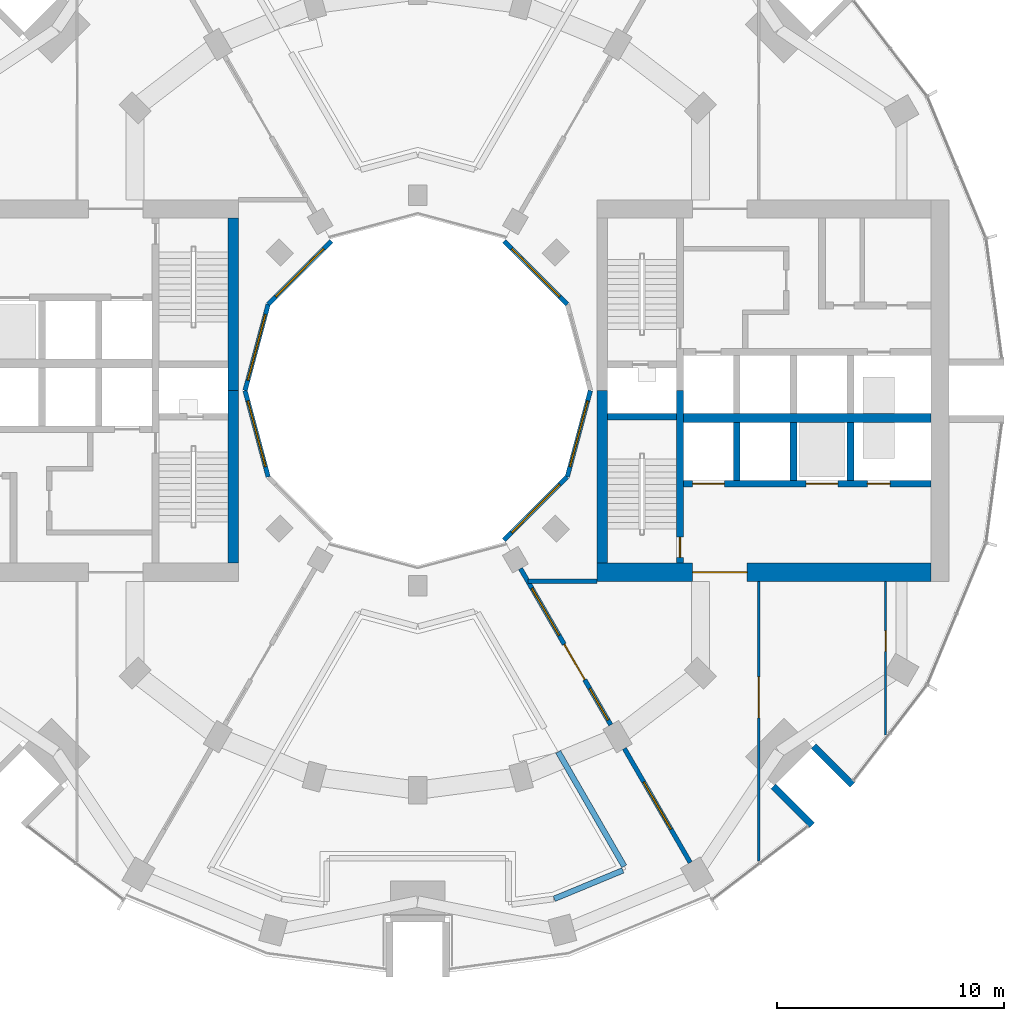
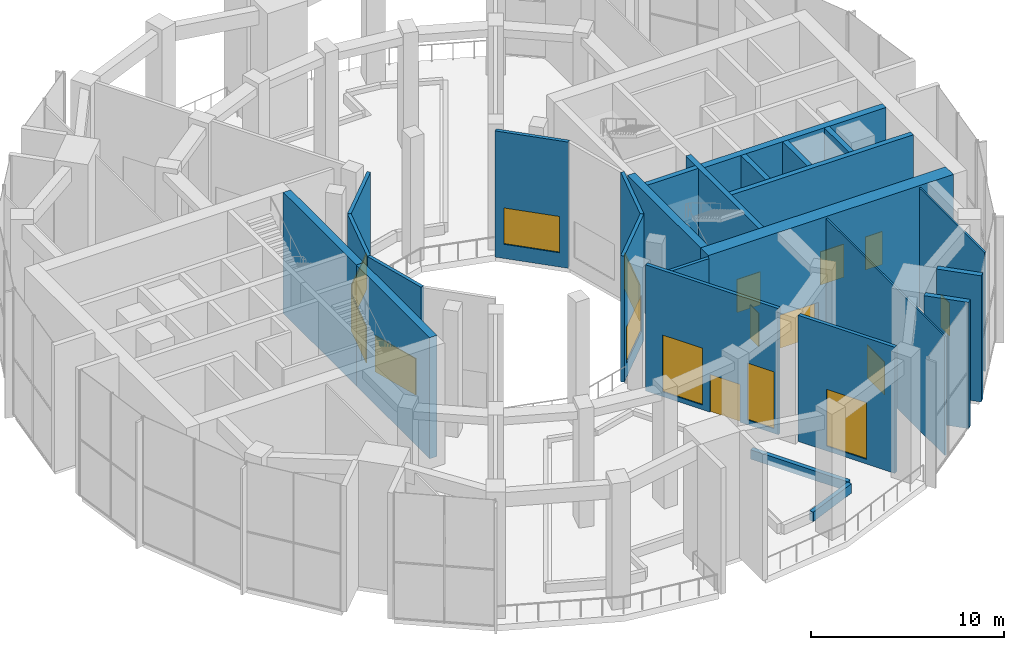
# One storey, part 12 of 18: 26 walls, 9 windows, 8 doors, 17 openings.
"""IFC4 building model written with IfcOpenShell, lengths in metres."""

from ifc_helpers import new_model, si_unit, direction, frame, frame_2d, origin, place, context, subcontext, project, spatial, rectangle, extrude, material, layer, layer_set, type_object, element, fill, save


model = new_model("IFC4")

# Units and contexts
model_context = context("Model", 3, precision=1e-05, world=origin(), true_north=direction((0.0, 1.0)))
body_context = subcontext(model_context, "Body", "Model", "MODEL_VIEW")
ifc_project = project(units=[si_unit("LENGTHUNIT", "METRE"), si_unit("AREAUNIT", "SQUARE_METRE"), si_unit("VOLUMEUNIT", "CUBIC_METRE"), si_unit("PLANEANGLEUNIT", "RADIAN"), si_unit("MASSUNIT", "GRAM", prefix="KILO")], contexts=[model_context])

# Site, building, storey
site_placement = place(None, origin())
site = spatial("IfcSite", under=ifc_project, at=site_placement, CompositionType="ELEMENT")
building_placement = place(site_placement, origin())
building = spatial("IfcBuilding", under=site, at=building_placement, Name="Torre Brocal", CompositionType="ELEMENT")
storey_placement = place(building_placement, frame((0.0, 0.0, 74.39990234375)))
storey = spatial("IfcBuildingStorey", under=building, at=storey_placement, Name="L17", CompositionType="ELEMENT", Elevation=74.39990234375)

# Wall, opening, door
ifc_material_1 = material(Name="Concrete C80", Category="concrete")
ifc_layer_1 = layer(ifc_material_1, 0.300048828125)
ifc_layer_set_1 = layer_set([ifc_layer_1], Name="Concrete C80")
wall_type_1 = type_object("IfcWallType", Name="CORE WALL 300 C80", PredefinedType="SHEAR", material=ifc_layer_set_1)
wall_1_placement = place(storey_placement, frame((91.550048828125, 67.39990234375, 0.0), z_axis=(0.0, 0.0, 1.0), x_axis=(0.0, 1.0, 0.0)))
wall_1 = element("IfcWall", 1, at=wall_1_placement, inside=storey, type_object=wall_type_1, Name="Wall CW300-80", PredefinedType="SHEAR", context=body_context, shape_type="SweptSolid", body=[
    extrude(rectangle(XDim=7.60009765625, YDim=0.300048828125, at=frame_2d((3.800048828125, 0.0))), origin(), (0.0, 0.0, 1.0), 7.68017578125),
])
opening_1_placement = place(wall_1_placement, frame((0.25, 0.0, 0.0)))
opening_1 = element("IfcOpeningElement", 2, at=opening_1_placement, cuts=wall_1, Name="Opening E-D03", PredefinedType="OPENING", context=body_context, shape_type="SweptSolid", body=[
    extrude(rectangle(XDim=0.89990234375, YDim=2.10009765625, at=frame_2d((0.449951171875, 1.050048828125))), frame((0.0, 0.159912109375, 0.0), z_axis=(0.0, -1.0, 0.0), x_axis=(1.0, 0.0, 0.0)), (0.0, 0.0, 1.0), 0.320068359375),
])
ifc_material_2 = material(Name="Steel A653", Category="steel")
door_type_1 = type_object("IfcDoorType", Name="STAIR DOOR FD120 900X2100", OperationType="SINGLE_SWING_RIGHT", PredefinedType="DOOR", material=ifc_material_2)
door_1_placement = place(opening_1_placement, origin())
door_1 = element("IfcDoor", 3, at=door_1_placement, inside=storey, type_object=door_type_1, Name="Door E-D03", OperationType="SINGLE_SWING_LEFT", OverallHeight=2.10009765625, OverallWidth=0.89990234375, PredefinedType="DOOR", context=body_context, shape_type="SweptSolid", body=[
    extrude(rectangle(XDim=0.89990234375, YDim=2.10009765625, at=frame_2d((0.449951171875, 1.050048828125))), frame((0.0, 0.02490234375, 0.0), z_axis=(0.0, -1.0, 0.0), x_axis=(1.0, 0.0, 0.0)), (0.0, 0.0, 1.0), 0.050048828125),
])
fill(opening_1, door_1)

# Wall
wall_2_placement = place(storey_placement, frame((88.35009765625, 73.85009765625, 0.0), z_axis=(0.0, 0.0, 1.0), x_axis=(1.0, 0.0, 0.0)))
element("IfcWall", 4, at=wall_2_placement, inside=storey, type_object=wall_type_1, Name="Wall CW300-80", PredefinedType="SHEAR", context=body_context, shape_type="SweptSolid", body=[
    extrude(rectangle(XDim=3.0498046875, YDim=0.300048828125, at=frame_2d((1.52490234375, 0.0))), origin(), (0.0, 0.0, 1.0), 7.68017578125),
])

# Wall, openings, doors
wall_3_placement = place(storey_placement, frame((91.699951171875, 70.89990234375, 0.0), z_axis=(0.0, 0.0, 1.0), x_axis=(1.0, 0.0, 0.0)))
wall_3 = element("IfcWall", 5, at=wall_3_placement, inside=storey, type_object=wall_type_1, Name="Wall CW300-80", PredefinedType="SHEAR", context=body_context, shape_type="SweptSolid", body=[
    extrude(rectangle(XDim=10.900146484375, YDim=0.300048828125, at=frame_2d((5.4501953125, 0.0))), origin(), (0.0, 0.0, 1.0), 7.68017578125),
])
opening_2_placement = place(wall_3_placement, frame((0.39990234375, 0.0, 0.0)))
opening_2 = element("IfcOpeningElement", 6, at=opening_2_placement, cuts=wall_3, Name="Opening LD14", PredefinedType="OPENING", context=body_context, shape_type="SweptSolid", body=[
    extrude(rectangle(XDim=1.39990234375, YDim=2.10009765625, at=frame_2d((0.699951171875, 1.050048828125))), frame((0.0, 0.159912109375, 0.0), z_axis=(0.0, -1.0, 0.0), x_axis=(1.0, 0.0, 0.0)), (0.0, 0.0, 1.0), 0.320068359375),
])
opening_3_placement = place(wall_3_placement, frame((5.39990234375, 0.0, 0.0)))
opening_3 = element("IfcOpeningElement", 7, at=opening_3_placement, cuts=wall_3, Name="Opening LD14", PredefinedType="OPENING", context=body_context, shape_type="SweptSolid", body=[
    extrude(rectangle(XDim=1.39990234375, YDim=2.10009765625, at=frame_2d((0.699951171875, 1.050048828125))), frame((0.0, 0.159912109375, 0.0), z_axis=(0.0, -1.0, 0.0), x_axis=(1.0, 0.0, 0.0)), (0.0, 0.0, 1.0), 0.320068359375),
])
opening_4_placement = place(wall_3_placement, frame((8.10009765625, 0.0, 0.0)))
opening_4 = element("IfcOpeningElement", 8, at=opening_4_placement, cuts=wall_3, Name="Opening LD10", PredefinedType="OPENING", context=body_context, shape_type="SweptSolid", body=[
    extrude(rectangle(XDim=1.0, YDim=2.10009765625, at=frame_2d((0.5, 1.050048828125))), frame((0.0, 0.159912109375, 0.0), z_axis=(0.0, -1.0, 0.0), x_axis=(1.0, 0.0, 0.0)), (0.0, 0.0, 1.0), 0.320068359375),
])
ifc_material_3 = material(Name="Stainless steel AISI 316", Category="steel")
door_type_2 = type_object("IfcDoorType", Name="LIFT LANDING DOOR 1000X2100", OperationType="DOUBLE_DOOR_SLIDING", PredefinedType="DOOR", material=ifc_material_3)
door_2_placement = place(opening_4_placement, origin())
door_2 = element("IfcDoor", 9, at=door_2_placement, inside=storey, type_object=door_type_2, Name="Door LD10", OperationType="DOUBLE_DOOR_SLIDING", OverallHeight=2.10009765625, OverallWidth=1.0, PredefinedType="DOOR", context=body_context, shape_type="SweptSolid", body=[
    extrude(rectangle(XDim=1.0, YDim=2.10009765625, at=frame_2d((0.5, 1.050048828125))), frame((0.0, 0.02490234375, 0.0), z_axis=(0.0, -1.0, 0.0), x_axis=(1.0, 0.0, 0.0)), (0.0, 0.0, 1.0), 0.050048828125),
])
fill(opening_4, door_2)
ifc_material_4 = material(Name="Stainless steel AISI 316", Category="steel")
door_type_3 = type_object("IfcDoorType", Name="LIFT LANDING DOOR 1400X2100", OperationType="DOUBLE_DOOR_SLIDING", PredefinedType="DOOR", material=ifc_material_4)
door_3_placement = place(opening_2_placement, origin())
door_3 = element("IfcDoor", 10, at=door_3_placement, inside=storey, type_object=door_type_3, Name="Door LD14", OperationType="DOUBLE_DOOR_SLIDING", OverallHeight=2.10009765625, OverallWidth=1.39990234375, PredefinedType="DOOR", context=body_context, shape_type="SweptSolid", body=[
    extrude(rectangle(XDim=1.39990234375, YDim=2.10009765625, at=frame_2d((0.699951171875, 1.050048828125))), frame((0.0, 0.02490234375, 0.0), z_axis=(0.0, -1.0, 0.0), x_axis=(1.0, 0.0, 0.0)), (0.0, 0.0, 1.0), 0.050048828125),
])
fill(opening_2, door_3)
door_4_placement = place(opening_3_placement, origin())
door_4 = element("IfcDoor", 11, at=door_4_placement, inside=storey, type_object=door_type_3, Name="Door LD14", OperationType="DOUBLE_DOOR_SLIDING", OverallHeight=2.10009765625, OverallWidth=1.39990234375, PredefinedType="DOOR", context=body_context, shape_type="SweptSolid", body=[
    extrude(rectangle(XDim=1.39990234375, YDim=2.10009765625, at=frame_2d((0.699951171875, 1.050048828125))), frame((0.0, 0.02490234375, 0.0), z_axis=(0.0, -1.0, 0.0), x_axis=(1.0, 0.0, 0.0)), (0.0, 0.0, 1.0), 0.050048828125),
])
fill(opening_3, door_4)

# Walls
for number, where, z_axis, x_axis, name in (
    (12, (94.050048828125, 71.050048828125, 0.0), (0.0, 0.0, 1.0), (0.0, 1.0, 0.0), "Wall CW300-80"),
    (13, (96.550048828125, 71.050048828125, 0.0), (0.0, 0.0, 1.0), (0.0, 1.0, 0.0), "Wall CW300-80"),
    (14, (99.050048828125, 71.050048828125, 0.0), (0.0, 0.0, 1.0), (0.0, 1.0, 0.0), "Wall CW300-80"),
):
    element("IfcWall", number, at=place(storey_placement, frame(where, z_axis=z_axis, x_axis=x_axis)), inside=storey, type_object=wall_type_1, Name=name, PredefinedType="SHEAR", context=body_context, shape_type="SweptSolid", body=[
        extrude(rectangle(XDim=2.550048828125, YDim=0.300048828125, at=frame_2d((1.27490234375, 0.0))), origin(), (0.0, 0.0, 1.0), 7.68017578125),
    ])
ifc_material_5 = material(Name="Concrete C80", Category="concrete")
ifc_layer_2 = layer(ifc_material_5, 0.39990234375)
ifc_layer_set_2 = layer_set([ifc_layer_2], Name="Concrete C80")
wall_type_2 = type_object("IfcWallType", Name="CORE WALL 400 C80", PredefinedType="SHEAR", material=ifc_layer_set_2)
wall_4_placement = place(storey_placement, frame((91.699951171875, 73.800048828125, 0.0), z_axis=(0.0, 0.0, 1.0), x_axis=(1.0, 0.0, 0.0)))
element("IfcWall", 15, at=wall_4_placement, inside=storey, type_object=wall_type_2, Name="Wall CW400-80", PredefinedType="SHEAR", context=body_context, shape_type="SweptSolid", body=[
    extrude(rectangle(XDim=10.900146484375, YDim=0.39990234375, at=frame_2d((5.4501953125, 0.0))), origin(), (0.0, 0.0, 1.0), 7.68017578125),
])
ifc_material_6 = material(Name="Concrete C80", Category="concrete")
ifc_layer_3 = layer(ifc_material_6, 0.449951171875)
ifc_layer_set_3 = layer_set([ifc_layer_3], Name="Concrete C80")
wall_type_3 = type_object("IfcWallType", Name="CORE WALL 450 C80", PredefinedType="SHEAR", material=ifc_layer_set_3)
for number, where, z_axis, x_axis, name in (
    (16, (88.125, 67.39990234375, 0.0), (0.0, 0.0, 1.0), (0.0, 1.0, 0.0), "Wall CW450-80"),
    (17, (71.875, 75.0, 0.0), (0.0, 0.0, 1.0), (0.0, -1.0, 0.0), "Wall CW450-80"),
    (18, (71.875, 82.60009765625, 0.0), (0.0, 0.0, 1.0), (0.0, -1.0, 0.0), "Wall CW450-80"),
):
    element("IfcWall", number, at=place(storey_placement, frame(where, z_axis=z_axis, x_axis=x_axis)), inside=storey, type_object=wall_type_3, Name=name, PredefinedType="SHEAR", context=body_context, shape_type="SweptSolid", body=[
        extrude(rectangle(XDim=7.60009765625, YDim=0.449951171875, at=frame_2d((3.800048828125, 0.0))), origin(), (0.0, 0.0, 1.0), 7.68017578125),
    ])

# Wall, opening, door
ifc_material_7 = material(Name="Concrete C80", Category="concrete")
ifc_layer_4 = layer(ifc_material_7, 0.800048828125)
ifc_layer_set_4 = layer_set([ifc_layer_4], Name="Concrete C80")
wall_type_4 = type_object("IfcWallType", Name="CORE WALL 800 C80", PredefinedType="SHEAR", material=ifc_layer_set_4)
wall_5_placement = place(storey_placement, frame((87.89990234375, 67.0, 0.0), z_axis=(0.0, 0.0, 1.0), x_axis=(1.0, 0.0, 0.0)))
wall_5 = element("IfcWall", 19, at=wall_5_placement, inside=storey, type_object=wall_type_4, Name="Wall CW800-80", PredefinedType="SHEAR", context=body_context, shape_type="SweptSolid", body=[
    extrude(rectangle(XDim=14.7001953125, YDim=0.800048828125, at=frame_2d((7.35009765625, 0.0))), origin(), (0.0, 0.0, 1.0), 7.68017578125),
])
opening_5_placement = place(wall_5_placement, frame((4.199951171875, 0.0, 0.0)))
opening_5 = element("IfcOpeningElement", 20, at=opening_5_placement, cuts=wall_5, Name="Opening E-D27", PredefinedType="OPENING", context=body_context, shape_type="SweptSolid", body=[
    extrude(rectangle(XDim=2.39990234375, YDim=2.39990234375, at=frame_2d((1.199951171875, 1.199951171875))), frame((0.0, 0.409912109375, 0.0), z_axis=(0.0, -1.0, 0.0), x_axis=(1.0, 0.0, 0.0)), (0.0, 0.0, 1.0), 0.820068359375),
])
ifc_material_8 = material(Name="Steel A653", Category="steel")
door_type_4 = type_object("IfcDoorType", Name="DOUBLE FIRE DOOR FD90 2400X2400", OperationType="DOUBLE_DOOR_SINGLE_SWING", PredefinedType="DOOR", material=ifc_material_8)
door_5_placement = place(opening_5_placement, frame((2.39990234375, 0.0, 0.0), z_axis=(0.0, 0.0, 1.0), x_axis=(-1.0, 0.0, 0.0)))
door_5 = element("IfcDoor", 21, at=door_5_placement, inside=storey, type_object=door_type_4, Name="Door E-D27", OperationType="DOUBLE_DOOR_SINGLE_SWING", OverallHeight=2.39990234375, OverallWidth=2.39990234375, PredefinedType="DOOR", context=body_context, shape_type="SweptSolid", body=[
    extrude(rectangle(XDim=2.39990234375, YDim=2.39990234375, at=frame_2d((1.199951171875, 1.199951171875))), frame((0.0, 0.02490234375, 0.0), z_axis=(0.0, -1.0, 0.0), x_axis=(1.0, 0.0, 0.0)), (0.0, 0.0, 1.0), 0.050048828125),
])
fill(opening_5, door_5)

# Walls
ifc_material_9 = material(Name="Concrete C80", Category="concrete")
ifc_layer_5 = layer(ifc_material_9, 0.300048828125)
ifc_layer_set_5 = layer_set([ifc_layer_5], Name="Concrete C80")
wall_type_5 = type_object("IfcWallType", Name="NOTCH RETURN WALL 300 C80", PredefinedType="NOTDEFINED", material=ifc_layer_set_5)
for number, where, z_axis, x_axis, name in (
    (22, (95.662353515625, 57.56982421875, 0.0), (0.0, 0.0, 1.0), (0.707106781187, -0.707106781187, 0.0), "NOTCH RETURN WALL"),
    (23, (97.43017578125, 59.337646484375, 0.0), (0.0, 0.0, 1.0), (0.707106781187, -0.707106781187, 0.0), "NOTCH RETURN WALL"),
):
    element("IfcWall", number, at=place(storey_placement, frame(where, z_axis=z_axis, x_axis=x_axis)), inside=storey, type_object=wall_type_5, Name=name, PredefinedType="NOTDEFINED", context=body_context, shape_type="SweptSolid", body=[
        extrude(rectangle(XDim=2.415771484375, YDim=0.300048828125, at=frame_2d((1.2080078125, 0.0))), origin(), (0.0, 0.0, 1.0), 8.0),
    ])

# Wall, opening, door
ifc_material_10 = material(Name="Gypsum board", Category="Gypsum")
ifc_layer_6 = layer(ifc_material_10, 0.10009765625)
ifc_layer_set_6 = layer_set([ifc_layer_6], Name="Gypsum board")
wall_type_6 = type_object("IfcWallType", Name="PARTITION 100", PredefinedType="PARTITIONING", material=ifc_layer_set_6)
wall_6_placement = place(storey_placement, frame((95.011962890625, 54.2880859375, 0.0), z_axis=(0.0, 0.0, 1.0), x_axis=(0.0, 1.0, 0.0)))
wall_6 = element("IfcWall", 24, at=wall_6_placement, inside=storey, type_object=wall_type_6, Name="ROOM PARTITION", PredefinedType="PARTITIONING", context=body_context, shape_type="SweptSolid", body=[
    extrude(rectangle(XDim=12.31201171875, YDim=0.10009765625, at=frame_2d((6.156005859375, 0.0))), origin(), (0.0, 0.0, 1.0), 7.550048828125),
])
opening_6_placement = place(wall_6_placement, frame((6.299560546875, 0.0, 0.0)))
opening_6 = element("IfcOpeningElement", 25, at=opening_6_placement, cuts=wall_6, Name="Opening SG1-D02", PredefinedType="OPENING", context=body_context, shape_type="SweptSolid", body=[
    extrude(rectangle(XDim=1.800048828125, YDim=2.10009765625, at=frame_2d((0.89990234375, 1.050048828125))), frame((0.0, 0.06005859375, 0.0), z_axis=(0.0, -1.0, 0.0), x_axis=(1.0, 0.0, 0.0)), (0.0, 0.0, 1.0), 0.1201171875),
])
ifc_material_11 = material(Name="Timber", Category="wood")
door_type_5 = type_object("IfcDoorType", Name="DOUBLE DOOR 1800X2100", OperationType="DOUBLE_DOOR_SINGLE_SWING", PredefinedType="DOOR", material=ifc_material_11)
door_6_placement = place(opening_6_placement, frame((1.800048828125, 0.0, 0.0), z_axis=(0.0, 0.0, 1.0), x_axis=(-1.0, 0.0, 0.0)))
door_6 = element("IfcDoor", 26, at=door_6_placement, inside=storey, type_object=door_type_5, Name="SG1-D02", OperationType="DOUBLE_DOOR_SINGLE_SWING", OverallHeight=2.10009765625, OverallWidth=1.800048828125, PredefinedType="DOOR", context=body_context, shape_type="SweptSolid", body=[
    extrude(rectangle(XDim=1.800048828125, YDim=2.10009765625, at=frame_2d((0.89990234375, 1.050048828125))), frame((0.0, 0.02490234375, 0.0), z_axis=(0.0, -1.0, 0.0), x_axis=(1.0, 0.0, 0.0)), (0.0, 0.0, 1.0), 0.050048828125),
])
fill(opening_6, door_6)

wall_7_placement = place(storey_placement, frame((100.60107421875, 59.83203125, 0.0), z_axis=(0.0, 0.0, 1.0), x_axis=(0.0, 1.0, 0.0)))
wall_7 = element("IfcWall", 27, at=wall_7_placement, inside=storey, type_object=wall_type_6, Name="BATHROOM WALL", PredefinedType="PARTITIONING", context=body_context, shape_type="SweptSolid", body=[
    extrude(rectangle(XDim=6.76806640625, YDim=0.10009765625, at=frame_2d((3.384033203125, 0.0))), origin(), (0.0, 0.0, 1.0), 7.550048828125),
])
opening_7_placement = place(wall_7_placement, frame((3.68408203125, 0.0, 0.0)))
opening_7 = element("IfcOpeningElement", 28, at=opening_7_placement, cuts=wall_7, Name="Opening SG1-D03", PredefinedType="OPENING", context=body_context, shape_type="SweptSolid", body=[
    extrude(rectangle(XDim=0.89990234375, YDim=2.10009765625, at=frame_2d((0.449951171875, 1.050048828125))), frame((0.0, 0.06005859375, 0.0), z_axis=(0.0, -1.0, 0.0), x_axis=(1.0, 0.0, 0.0)), (0.0, 0.0, 1.0), 0.1201171875),
])
ifc_material_12 = material(Name="Timber", Category="wood")
door_type_6 = type_object("IfcDoorType", Name="ACCESSIBLE BATHROOM DOOR 900X2100", OperationType="SINGLE_SWING_LEFT", PredefinedType="DOOR", material=ifc_material_12)
door_7_placement = place(opening_7_placement, frame((0.89990234375, 0.0, 0.0), z_axis=(0.0, 0.0, 1.0), x_axis=(-1.0, 0.0, 0.0)))
door_7 = element("IfcDoor", 29, at=door_7_placement, inside=storey, type_object=door_type_6, Name="SG1-D03", OperationType="SINGLE_SWING_LEFT", OverallHeight=2.10009765625, OverallWidth=0.89990234375, PredefinedType="DOOR", context=body_context, shape_type="SweptSolid", body=[
    extrude(rectangle(XDim=0.89990234375, YDim=2.10009765625, at=frame_2d((0.449951171875, 1.050048828125))), frame((0.0, 0.02490234375, 0.0), z_axis=(0.0, -1.0, 0.0), x_axis=(1.0, 0.0, 0.0)), (0.0, 0.0, 1.0), 0.050048828125),
])
fill(opening_7, door_7)

# Wall
ifc_material_13 = material(Name="Gypsum board", Category="Gypsum")
ifc_layer_7 = layer(ifc_material_13, 0.199951171875)
ifc_layer_set_7 = layer_set([ifc_layer_7], Name="Gypsum board")
wall_type_7 = type_object("IfcWallType", Name="PARTITION 200 EI60", PredefinedType="PARTITIONING", material=ifc_layer_set_7)
wall_8_placement = place(storey_placement, frame((84.85107421875, 66.60009765625, 0.0), z_axis=(0.0, 0.0, 1.0), x_axis=(1.0, 0.0, 0.0)))
element("IfcWall", 30, at=wall_8_placement, inside=storey, type_object=wall_type_7, Name="PARTY PARTITION", PredefinedType="PARTITIONING", context=body_context, shape_type="SweptSolid", body=[
    extrude(rectangle(XDim=3.0478515625, YDim=0.199951171875, at=frame_2d((1.52392578125, 0.0))), origin(), (0.0, 0.0, 1.0), 7.550048828125),
])

# Wall, openings, door, windows
ifc_material_14 = material(Name="Concrete C40", Category="concrete")
ifc_layer_8 = layer(ifc_material_14, 0.199951171875)
ifc_layer_set_8 = layer_set([ifc_layer_8], Name="Concrete C40")
wall_type_8 = type_object("IfcWallType", Name="PAVILION BOUNDARY WALL 200", PredefinedType="NOTDEFINED", material=ifc_layer_set_8)
wall_9_placement = place(storey_placement, frame((84.52490234375, 67.162353515625, 0.0), z_axis=(0.0, 0.0, 1.0), x_axis=(0.50001663867, -0.86601579723, 0.0)))
wall_9 = element("IfcWall", 31, at=wall_9_placement, inside=storey, type_object=wall_type_8, Name="PAVILION BOUNDARY WALL", PredefinedType="NOTDEFINED", context=body_context, shape_type="SweptSolid", body=[
    extrude(rectangle(XDim=7.949951171875, YDim=0.199951171875, at=frame_2d((3.97509765625, 0.0))), origin(), (0.0, 0.0, 1.0), 8.0),
])
opening_8_placement = place(wall_9_placement, frame((1.0, 0.0, 0.300048828125)))
opening_8 = element("IfcOpeningElement", 32, at=opening_8_placement, cuts=wall_9, Name="Opening W4", PredefinedType="OPENING", context=body_context, shape_type="SweptSolid", body=[
    extrude(rectangle(XDim=2.39990234375, YDim=3.60009765625, at=frame_2d((1.199951171875, 1.800048828125))), frame((0.0, 0.10986328125, 0.0), z_axis=(0.0, -1.0, 0.0), x_axis=(1.0, 0.0, 0.0)), (0.0, 0.0, 1.0), 0.219970703125),
])
opening_9_placement = place(wall_9_placement, frame((3.85009765625, 0.0, 0.0)))
opening_9 = element("IfcOpeningElement", 33, at=opening_9_placement, cuts=wall_9, Name="Opening L17-E04", PredefinedType="OPENING", context=body_context, shape_type="SweptSolid", body=[
    extrude(rectangle(XDim=1.800048828125, YDim=2.39990234375, at=frame_2d((0.89990234375, 1.199951171875))), frame((0.0, 0.10986328125, 0.0), z_axis=(0.0, -1.0, 0.0), x_axis=(1.0, 0.0, 0.0)), (0.0, 0.0, 1.0), 0.219970703125),
])
opening_10_placement = place(wall_9_placement, frame((6.10009765625, 0.0, 0.300048828125)))
opening_10 = element("IfcOpeningElement", 34, at=opening_10_placement, cuts=wall_9, Name="Opening W4-1600", PredefinedType="OPENING", context=body_context, shape_type="SweptSolid", body=[
    extrude(rectangle(XDim=1.60009765625, YDim=3.60009765625, at=frame_2d((0.800048828125, 1.800048828125))), frame((0.0, 0.10986328125, 0.0), z_axis=(0.0, -1.0, 0.0), x_axis=(1.0, 0.0, 0.0)), (0.0, 0.0, 1.0), 0.219970703125),
])
ifc_material_15 = material(Name="Aluminium and glass", Category="aluminium")
door_type_7 = type_object("IfcDoorType", Name="PAVILION DOOR 1800X2400", OperationType="DOUBLE_DOOR_SINGLE_SWING", PredefinedType="DOOR", material=ifc_material_15)
door_8_placement = place(opening_9_placement, frame((1.800048828125, 0.0, 0.0), z_axis=(0.0, 0.0, 1.0), x_axis=(-1.0, 0.0, 0.0)))
door_8 = element("IfcDoor", 35, at=door_8_placement, inside=storey, type_object=door_type_7, Name="DOOR L17-E04", OperationType="DOUBLE_DOOR_SINGLE_SWING", OverallHeight=2.39990234375, OverallWidth=1.800048828125, PredefinedType="DOOR", context=body_context, shape_type="SweptSolid", body=[
    extrude(rectangle(XDim=1.800048828125, YDim=2.39990234375, at=frame_2d((0.89990234375, 1.199951171875))), frame((0.0, 0.02490234375, 0.0), z_axis=(0.0, -1.0, 0.0), x_axis=(1.0, 0.0, 0.0)), (0.0, 0.0, 1.0), 0.050048828125),
])
fill(opening_9, door_8)
ifc_material_16 = material(Name="Aluminium and glass", Category="aluminium")
window_type_1 = type_object("IfcWindowType", Name="PAVILION WINDOW 1600X3600", PartitioningType="SINGLE_PANEL", PredefinedType="WINDOW", material=ifc_material_16)
window_1_placement = place(opening_10_placement, origin())
window_1 = element("IfcWindow", 36, at=window_1_placement, inside=storey, type_object=window_type_1, Name="PAVILION WINDOW 1600X3600", OverallHeight=3.60009765625, OverallWidth=1.60009765625, PartitioningType="SINGLE_PANEL", PredefinedType="WINDOW", context=body_context, shape_type="SweptSolid", body=[
    extrude(rectangle(XDim=1.60009765625, YDim=3.60009765625, at=frame_2d((0.800048828125, 1.800048828125))), frame((0.0, 0.030029296875, 0.0), z_axis=(0.0, -1.0, 0.0), x_axis=(1.0, 0.0, 0.0)), (0.0, 0.0, 1.0), 0.06005859375),
])
fill(opening_10, window_1)
ifc_material_17 = material(Name="Aluminium and glass", Category="aluminium")
window_type_2 = type_object("IfcWindowType", Name="PAVILION WINDOW 2400X3600", PartitioningType="SINGLE_PANEL", PredefinedType="WINDOW", material=ifc_material_17)
window_2_placement = place(opening_8_placement, origin())
window_2 = element("IfcWindow", 37, at=window_2_placement, inside=storey, type_object=window_type_2, Name="PAVILION WINDOW 2400X3600", OverallHeight=3.60009765625, OverallWidth=2.39990234375, PartitioningType="SINGLE_PANEL", PredefinedType="WINDOW", context=body_context, shape_type="SweptSolid", body=[
    extrude(rectangle(XDim=2.39990234375, YDim=3.60009765625, at=frame_2d((1.199951171875, 1.800048828125))), frame((0.0, 0.030029296875, 0.0), z_axis=(0.0, -1.0, 0.0), x_axis=(1.0, 0.0, 0.0)), (0.0, 0.0, 1.0), 0.06005859375),
])
fill(opening_8, window_2)

# Wall, opening, window
wall_10_placement = place(storey_placement, frame((89.10009765625, 59.23828125, 0.0), z_axis=(0.0, 0.0, 1.0), x_axis=(0.499987231761, -0.866032775405, 0.0)))
wall_10 = element("IfcWall", 38, at=wall_10_placement, inside=storey, type_object=wall_type_8, Name="PAVILION BOUNDARY WALL", PredefinedType="NOTDEFINED", context=body_context, shape_type="SweptSolid", body=[
    extrude(rectangle(XDim=5.800048828125, YDim=0.199951171875, at=frame_2d((2.89990234375, 0.0))), origin(), (0.0, 0.0, 1.0), 8.0),
])
opening_11_placement = place(wall_10_placement, frame((1.699951171875, 0.0, 0.300048828125)))
opening_11 = element("IfcOpeningElement", 39, at=opening_11_placement, cuts=wall_10, Name="Opening W4", PredefinedType="OPENING", context=body_context, shape_type="SweptSolid", body=[
    extrude(rectangle(XDim=2.39990234375, YDim=3.60009765625, at=frame_2d((1.199951171875, 1.800048828125))), frame((0.0, 0.10986328125, 0.0), z_axis=(0.0, -1.0, 0.0), x_axis=(1.0, 0.0, 0.0)), (0.0, 0.0, 1.0), 0.219970703125),
])
window_3_placement = place(opening_11_placement, origin())
window_3 = element("IfcWindow", 40, at=window_3_placement, inside=storey, type_object=window_type_2, Name="PAVILION WINDOW 2400X3600", OverallHeight=3.60009765625, OverallWidth=2.39990234375, PartitioningType="SINGLE_PANEL", PredefinedType="WINDOW", context=body_context, shape_type="SweptSolid", body=[
    extrude(rectangle(XDim=2.39990234375, YDim=3.60009765625, at=frame_2d((1.199951171875, 1.800048828125))), frame((0.0, 0.030029296875, 0.0), z_axis=(0.0, -1.0, 0.0), x_axis=(1.0, 0.0, 0.0)), (0.0, 0.0, 1.0), 0.06005859375),
])
fill(opening_11, window_3)

# Walls
ifc_material_18 = material(Name="Concrete C35", Category="concrete")
ifc_layer_9 = layer(ifc_material_18, 0.25)
ifc_layer_set_9 = layer_set([ifc_layer_9], Name="Concrete C35")
wall_type_9 = type_object("IfcWallType", Name="PLANTER WALL 250 THICK 600 HIGH 8", PredefinedType="USERDEFINED", material=ifc_layer_set_9)
wall_11_placement = place(storey_placement, frame((86.013671875, 52.6201171875, 0.0), z_axis=(0.0, 0.0, 1.0), x_axis=(0.923863886655, 0.382721202621, 0.0)))
element("IfcWall", 41, at=wall_11_placement, inside=storey, type_object=wall_type_9, Name="PLANTER", ObjectType="PLANTER", PredefinedType="USERDEFINED", context=body_context, shape_type="SweptSolid", body=[
    extrude(rectangle(XDim=3.2685546875, YDim=0.25, at=frame_2d((1.63427734375, 0.0))), origin(), (0.0, 0.0, 1.0), 0.60009765625),
])
wall_12_placement = place(storey_placement, frame((89.09375, 54.049072265625, 0.0), z_axis=(0.0, 0.0, 1.0), x_axis=(-0.50000795037, 0.866020813587, 0.0)))
element("IfcWall", 42, at=wall_12_placement, inside=storey, type_object=wall_type_9, Name="PLANTER", ObjectType="PLANTER", PredefinedType="USERDEFINED", context=body_context, shape_type="SweptSolid", body=[
    extrude(rectangle(XDim=5.8232421875, YDim=0.25, at=frame_2d((2.91162109375, 0.0))), origin(), (0.0, 0.0, 1.0), 0.60009765625),
])

# Wall, opening, window
ifc_material_19 = material(Name="Concrete C40", Category="concrete")
ifc_layer_10 = layer(ifc_material_19, 0.199951171875)
ifc_layer_set_10 = layer_set([ifc_layer_10], Name="Concrete C40")
wall_type_10 = type_object("IfcWallType", Name="WELL FACADE WALL 200", PredefinedType="NOTDEFINED", material=ifc_layer_set_10)
wall_13_placement = place(storey_placement, frame((86.5849609375, 78.8017578125, 0.0), z_axis=(0.0, 0.0, 1.0), x_axis=(-0.707106781187, 0.707106781187, 0.0)))
wall_13 = element("IfcWall", 43, at=wall_13_placement, inside=storey, type_object=wall_type_10, Name="WELL FACADE WALL", PredefinedType="NOTDEFINED", context=body_context, shape_type="SweptSolid", body=[
    extrude(rectangle(XDim=3.93603515625, YDim=0.199951171875, at=frame_2d((1.968017578125, 0.0))), origin(), (0.0, 0.0, 1.0), 8.0),
])
opening_12_placement = place(wall_13_placement, frame((0.468017578125, 0.0, 0.89990234375)))
opening_12 = element("IfcOpeningElement", 44, at=opening_12_placement, cuts=wall_13, Name="Opening W1", PredefinedType="OPENING", context=body_context, shape_type="SweptSolid", body=[
    extrude(rectangle(XDim=3.0, YDim=2.300048828125, at=frame_2d((1.5, 1.14990234375))), frame((0.0, 0.10986328125, 0.0), z_axis=(0.0, -1.0, 0.0), x_axis=(1.0, 0.0, 0.0)), (0.0, 0.0, 1.0), 0.219970703125),
])
ifc_material_20 = material(Name="Aluminium and glass", Category="aluminium")
window_type_3 = type_object("IfcWindowType", Name="WELL WINDOW 3000X2300", PartitioningType="SINGLE_PANEL", PredefinedType="WINDOW", material=ifc_material_20)
window_4_placement = place(opening_12_placement, origin())
window_4 = element("IfcWindow", 45, at=window_4_placement, inside=storey, type_object=window_type_3, Name="WELL WINDOW 3000X2300", OverallHeight=2.300048828125, OverallWidth=3.0, PartitioningType="SINGLE_PANEL", PredefinedType="WINDOW", context=body_context, shape_type="SweptSolid", body=[
    extrude(rectangle(XDim=3.0, YDim=2.300048828125, at=frame_2d((1.5, 1.14990234375))), frame((0.0, 0.030029296875, 0.0), z_axis=(0.0, -1.0, 0.0), x_axis=(1.0, 0.0, 0.0)), (0.0, 0.0, 1.0), 0.06005859375),
])
fill(opening_12, window_4)

wall_14_placement = place(storey_placement, frame((76.1982421875, 81.5849609375, 0.0), z_axis=(0.0, 0.0, 1.0), x_axis=(-0.707106781187, -0.707106781187, 0.0)))
wall_14 = element("IfcWall", 46, at=wall_14_placement, inside=storey, type_object=wall_type_10, Name="WELL FACADE WALL", PredefinedType="NOTDEFINED", context=body_context, shape_type="SweptSolid", body=[
    extrude(rectangle(XDim=3.93603515625, YDim=0.199951171875, at=frame_2d((1.968017578125, 0.0))), origin(), (0.0, 0.0, 1.0), 8.0),
])
opening_13_placement = place(wall_14_placement, frame((0.468017578125, 0.0, 0.89990234375)))
opening_13 = element("IfcOpeningElement", 47, at=opening_13_placement, cuts=wall_14, Name="Opening W1", PredefinedType="OPENING", context=body_context, shape_type="SweptSolid", body=[
    extrude(rectangle(XDim=3.0, YDim=2.300048828125, at=frame_2d((1.5, 1.14990234375))), frame((0.0, 0.10986328125, 0.0), z_axis=(0.0, -1.0, 0.0), x_axis=(1.0, 0.0, 0.0)), (0.0, 0.0, 1.0), 0.219970703125),
])
window_5_placement = place(opening_13_placement, origin())
window_5 = element("IfcWindow", 48, at=window_5_placement, inside=storey, type_object=window_type_3, Name="WELL WINDOW 3000X2300", OverallHeight=2.300048828125, OverallWidth=3.0, PartitioningType="SINGLE_PANEL", PredefinedType="WINDOW", context=body_context, shape_type="SweptSolid", body=[
    extrude(rectangle(XDim=3.0, YDim=2.300048828125, at=frame_2d((1.5, 1.14990234375))), frame((0.0, 0.030029296875, 0.0), z_axis=(0.0, -1.0, 0.0), x_axis=(1.0, 0.0, 0.0)), (0.0, 0.0, 1.0), 0.06005859375),
])
fill(opening_13, window_5)

wall_15_placement = place(storey_placement, frame((73.4150390625, 78.8017578125, 0.0), z_axis=(0.0, 0.0, 1.0), x_axis=(-0.258789828301, -0.965933654434, 0.0)))
wall_15 = element("IfcWall", 49, at=wall_15_placement, inside=storey, type_object=wall_type_10, Name="WELL FACADE WALL", PredefinedType="NOTDEFINED", context=body_context, shape_type="SweptSolid", body=[
    extrude(rectangle(XDim=3.935791015625, YDim=0.199951171875, at=frame_2d((1.9677734375, 0.0))), origin(), (0.0, 0.0, 1.0), 8.0),
])
opening_14_placement = place(wall_15_placement, frame((0.468017578125, 0.0, 0.89990234375)))
opening_14 = element("IfcOpeningElement", 50, at=opening_14_placement, cuts=wall_15, Name="Opening W1", PredefinedType="OPENING", context=body_context, shape_type="SweptSolid", body=[
    extrude(rectangle(XDim=3.0, YDim=2.300048828125, at=frame_2d((1.5, 1.14990234375))), frame((0.0, 0.10986328125, 0.0), z_axis=(0.0, -1.0, 0.0), x_axis=(1.0, 0.0, 0.0)), (0.0, 0.0, 1.0), 0.219970703125),
])
window_6_placement = place(opening_14_placement, origin())
window_6 = element("IfcWindow", 51, at=window_6_placement, inside=storey, type_object=window_type_3, Name="WELL WINDOW 3000X2300", OverallHeight=2.300048828125, OverallWidth=3.0, PartitioningType="SINGLE_PANEL", PredefinedType="WINDOW", context=body_context, shape_type="SweptSolid", body=[
    extrude(rectangle(XDim=3.0, YDim=2.300048828125, at=frame_2d((1.5, 1.14990234375))), frame((0.0, 0.030029296875, 0.0), z_axis=(0.0, -1.0, 0.0), x_axis=(1.0, 0.0, 0.0)), (0.0, 0.0, 1.0), 0.06005859375),
])
fill(opening_14, window_6)

wall_16_placement = place(storey_placement, frame((72.396484375, 75.0, 0.0), z_axis=(0.0, 0.0, 1.0), x_axis=(0.258789828301, -0.965933654434, 0.0)))
wall_16 = element("IfcWall", 52, at=wall_16_placement, inside=storey, type_object=wall_type_10, Name="WELL FACADE WALL", PredefinedType="NOTDEFINED", context=body_context, shape_type="SweptSolid", body=[
    extrude(rectangle(XDim=3.935791015625, YDim=0.199951171875, at=frame_2d((1.9677734375, 0.0))), origin(), (0.0, 0.0, 1.0), 8.0),
])
opening_15_placement = place(wall_16_placement, frame((0.468017578125, 0.0, 0.89990234375)))
opening_15 = element("IfcOpeningElement", 53, at=opening_15_placement, cuts=wall_16, Name="Opening W1", PredefinedType="OPENING", context=body_context, shape_type="SweptSolid", body=[
    extrude(rectangle(XDim=3.0, YDim=2.300048828125, at=frame_2d((1.5, 1.14990234375))), frame((0.0, 0.10986328125, 0.0), z_axis=(0.0, -1.0, 0.0), x_axis=(1.0, 0.0, 0.0)), (0.0, 0.0, 1.0), 0.219970703125),
])
window_7_placement = place(opening_15_placement, origin())
window_7 = element("IfcWindow", 54, at=window_7_placement, inside=storey, type_object=window_type_3, Name="WELL WINDOW 3000X2300", OverallHeight=2.300048828125, OverallWidth=3.0, PartitioningType="SINGLE_PANEL", PredefinedType="WINDOW", context=body_context, shape_type="SweptSolid", body=[
    extrude(rectangle(XDim=3.0, YDim=2.300048828125, at=frame_2d((1.5, 1.14990234375))), frame((0.0, 0.030029296875, 0.0), z_axis=(0.0, -1.0, 0.0), x_axis=(1.0, 0.0, 0.0)), (0.0, 0.0, 1.0), 0.06005859375),
])
fill(opening_15, window_7)

wall_17_placement = place(storey_placement, frame((83.8017578125, 68.4150390625, 0.0), z_axis=(0.0, 0.0, 1.0), x_axis=(0.707106781187, 0.707106781187, 0.0)))
wall_17 = element("IfcWall", 55, at=wall_17_placement, inside=storey, type_object=wall_type_10, Name="WELL FACADE WALL", PredefinedType="NOTDEFINED", context=body_context, shape_type="SweptSolid", body=[
    extrude(rectangle(XDim=3.93603515625, YDim=0.199951171875, at=frame_2d((1.968017578125, 0.0))), origin(), (0.0, 0.0, 1.0), 8.0),
])
opening_16_placement = place(wall_17_placement, frame((0.468017578125, 0.0, 0.89990234375)))
opening_16 = element("IfcOpeningElement", 56, at=opening_16_placement, cuts=wall_17, Name="Opening W1", PredefinedType="OPENING", context=body_context, shape_type="SweptSolid", body=[
    extrude(rectangle(XDim=3.0, YDim=2.300048828125, at=frame_2d((1.5, 1.14990234375))), frame((0.0, 0.10986328125, 0.0), z_axis=(0.0, -1.0, 0.0), x_axis=(1.0, 0.0, 0.0)), (0.0, 0.0, 1.0), 0.219970703125),
])
window_8_placement = place(opening_16_placement, origin())
window_8 = element("IfcWindow", 57, at=window_8_placement, inside=storey, type_object=window_type_3, Name="WELL WINDOW 3000X2300", OverallHeight=2.300048828125, OverallWidth=3.0, PartitioningType="SINGLE_PANEL", PredefinedType="WINDOW", context=body_context, shape_type="SweptSolid", body=[
    extrude(rectangle(XDim=3.0, YDim=2.300048828125, at=frame_2d((1.5, 1.14990234375))), frame((0.0, 0.030029296875, 0.0), z_axis=(0.0, -1.0, 0.0), x_axis=(1.0, 0.0, 0.0)), (0.0, 0.0, 1.0), 0.06005859375),
])
fill(opening_16, window_8)

wall_18_placement = place(storey_placement, frame((86.5849609375, 71.1982421875, 0.0), z_axis=(0.0, 0.0, 1.0), x_axis=(0.258789828301, 0.965933654434, 0.0)))
wall_18 = element("IfcWall", 58, at=wall_18_placement, inside=storey, type_object=wall_type_10, Name="WELL FACADE WALL", PredefinedType="NOTDEFINED", context=body_context, shape_type="SweptSolid", body=[
    extrude(rectangle(XDim=3.935791015625, YDim=0.199951171875, at=frame_2d((1.9677734375, 0.0))), origin(), (0.0, 0.0, 1.0), 8.0),
])
opening_17_placement = place(wall_18_placement, frame((0.468017578125, 0.0, 0.89990234375)))
opening_17 = element("IfcOpeningElement", 59, at=opening_17_placement, cuts=wall_18, Name="Opening W1", PredefinedType="OPENING", context=body_context, shape_type="SweptSolid", body=[
    extrude(rectangle(XDim=3.0, YDim=2.300048828125, at=frame_2d((1.5, 1.14990234375))), frame((0.0, 0.10986328125, 0.0), z_axis=(0.0, -1.0, 0.0), x_axis=(1.0, 0.0, 0.0)), (0.0, 0.0, 1.0), 0.219970703125),
])
window_9_placement = place(opening_17_placement, origin())
window_9 = element("IfcWindow", 60, at=window_9_placement, inside=storey, type_object=window_type_3, Name="WELL WINDOW 3000X2300", OverallHeight=2.300048828125, OverallWidth=3.0, PartitioningType="SINGLE_PANEL", PredefinedType="WINDOW", context=body_context, shape_type="SweptSolid", body=[
    extrude(rectangle(XDim=3.0, YDim=2.300048828125, at=frame_2d((1.5, 1.14990234375))), frame((0.0, 0.030029296875, 0.0), z_axis=(0.0, -1.0, 0.0), x_axis=(1.0, 0.0, 0.0)), (0.0, 0.0, 1.0), 0.06005859375),
])
fill(opening_17, window_9)

save(model, "model.ifc")
